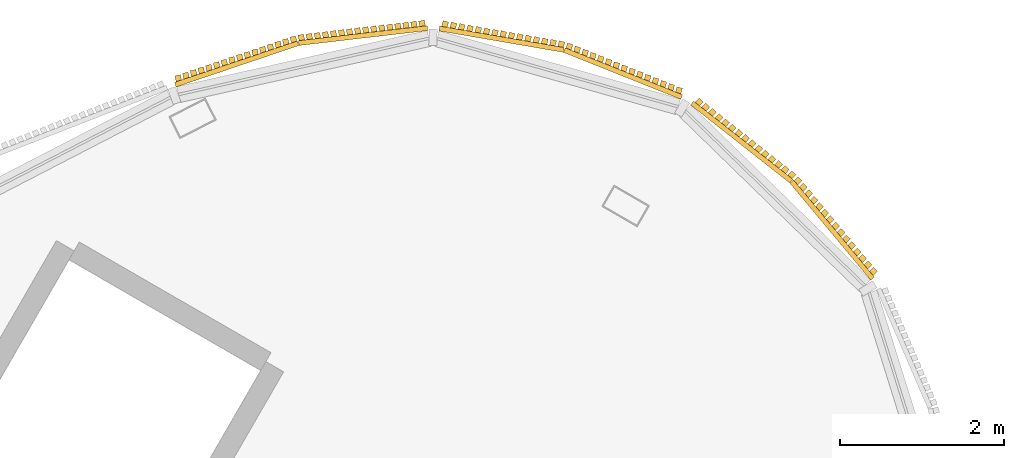
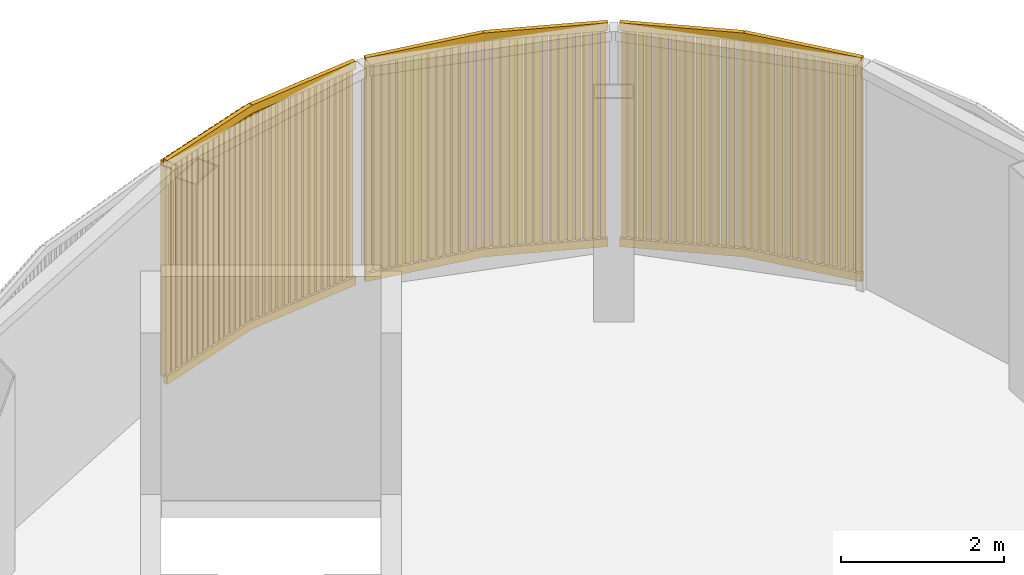
# One storey, part 16 of 16: 3 coverings.
"""IFC4 building model written with IfcOpenShell, lengths in metres."""

from ifc_helpers import new_model, si_unit, direction, frame, frame_2d, origin, place, context, subcontext, project, spatial, rectangle, extrude, source, transform, mapped, material, type_object, element, save


model = new_model("IFC4")

# Units and contexts
model_context = context("Model", 3, precision=1e-05, world=origin(), true_north=direction((0.0, 1.0)))
body_context = subcontext(model_context, "Body", "Model", "MODEL_VIEW")
ifc_project = project(units=[si_unit("LENGTHUNIT", "METRE"), si_unit("AREAUNIT", "SQUARE_METRE"), si_unit("VOLUMEUNIT", "CUBIC_METRE"), si_unit("PLANEANGLEUNIT", "RADIAN"), si_unit("MASSUNIT", "GRAM", prefix="KILO")], contexts=[model_context])

# Site, building, storey
site_placement = place(None, origin())
site = spatial("IfcSite", under=ifc_project, at=site_placement, CompositionType="ELEMENT")
building_placement = place(site_placement, origin())
building = spatial("IfcBuilding", under=site, at=building_placement, Name="Tamra Quay Hotel Tower", CompositionType="ELEMENT")
storey_placement = place(building_placement, frame((0.0, 0.0, 324.199951171875)))
storey = spatial("IfcBuildingStorey", under=building, at=storey_placement, Name="Roof crown 2", CompositionType="ELEMENT", Elevation=324.199951171875)

# Coverings
ifc_material = material(Name="Terracotta baguette extruded", Category="masonry")
covering_type = type_object("IfcCoveringType", Name="BAGUETTE SCREEN CROWN H3350", PredefinedType="USERDEFINED", material=ifc_material)
shared_shape_1 = source(origin(), body_context, "Body", "SweptSolid", [
    extrude(rectangle(XDim=1.5810546875, YDim=0.06005859375, at=frame_2d((0.79052734375, 0.030029296875))), frame((-1.578857421875, -0.0576171875, -0.1201171875), z_axis=(0.0, 0.0, 1.0), x_axis=(0.994521895368, -0.104528463268, 0.0)), (0.0, 0.0, 1.0), 0.1201171875),
    extrude(rectangle(XDim=1.5810546875, YDim=0.06005859375, at=frame_2d((0.79052734375, 0.030029296875))), frame((-1.578857421875, -0.0576171875, -3.35009765625), z_axis=(0.0, 0.0, 1.0), x_axis=(0.994521895368, -0.104528463268, 0.0)), (0.0, 0.0, 1.0), 0.1201171875),
    extrude(rectangle(XDim=0.070068359375, YDim=0.10009765625, at=frame_2d((0.03515625, 0.050048828125))), frame((-1.558349609375, -0.133056640625, -3.2900390625)), (0.0, 0.0, 1.0), 3.22998046875),
    extrude(rectangle(XDim=0.070068359375, YDim=0.10009765625, at=frame_2d((0.03515625, 0.050048828125))), frame((-1.4599609375, -0.1435546875, -3.2900390625)), (0.0, 0.0, 1.0), 3.22998046875),
    extrude(rectangle(XDim=0.070068359375, YDim=0.10009765625, at=frame_2d((0.03515625, 0.050048828125))), frame((-1.36181640625, -0.15380859375, -3.2900390625)), (0.0, 0.0, 1.0), 3.22998046875),
    extrude(rectangle(XDim=0.070068359375, YDim=0.10009765625, at=frame_2d((0.03515625, 0.050048828125))), frame((-1.263427734375, -0.1640625, -3.2900390625)), (0.0, 0.0, 1.0), 3.22998046875),
    extrude(rectangle(XDim=0.070068359375, YDim=0.10009765625, at=frame_2d((0.03515625, 0.050048828125))), frame((-1.165283203125, -0.174560546875, -3.2900390625)), (0.0, 0.0, 1.0), 3.22998046875),
    extrude(rectangle(XDim=0.070068359375, YDim=0.10009765625, at=frame_2d((0.03515625, 0.050048828125))), frame((-1.06689453125, -0.184814453125, -3.2900390625)), (0.0, 0.0, 1.0), 3.22998046875),
    extrude(rectangle(XDim=0.070068359375, YDim=0.10009765625, at=frame_2d((0.03515625, 0.050048828125))), frame((-0.96875, -0.195068359375, -3.2900390625)), (0.0, 0.0, 1.0), 3.22998046875),
    extrude(rectangle(XDim=0.070068359375, YDim=0.10009765625, at=frame_2d((0.03515625, 0.050048828125))), frame((-0.870361328125, -0.20556640625, -3.2900390625)), (0.0, 0.0, 1.0), 3.22998046875),
    extrude(rectangle(XDim=0.070068359375, YDim=0.10009765625, at=frame_2d((0.03515625, 0.050048828125))), frame((-0.772216796875, -0.2158203125, -3.2900390625)), (0.0, 0.0, 1.0), 3.22998046875),
    extrude(rectangle(XDim=0.070068359375, YDim=0.10009765625, at=frame_2d((0.03515625, 0.050048828125))), frame((-0.673828125, -0.22607421875, -3.2900390625)), (0.0, 0.0, 1.0), 3.22998046875),
    extrude(rectangle(XDim=0.070068359375, YDim=0.10009765625, at=frame_2d((0.03515625, 0.050048828125))), frame((-0.575439453125, -0.236572265625, -3.2900390625)), (0.0, 0.0, 1.0), 3.22998046875),
    extrude(rectangle(XDim=0.070068359375, YDim=0.10009765625, at=frame_2d((0.03515625, 0.050048828125))), frame((-0.477294921875, -0.246826171875, -3.2900390625)), (0.0, 0.0, 1.0), 3.22998046875),
    extrude(rectangle(XDim=0.070068359375, YDim=0.10009765625, at=frame_2d((0.03515625, 0.050048828125))), frame((-0.37890625, -0.257080078125, -3.2900390625)), (0.0, 0.0, 1.0), 3.22998046875),
    extrude(rectangle(XDim=0.070068359375, YDim=0.10009765625, at=frame_2d((0.03515625, 0.050048828125))), frame((-0.28076171875, -0.267333984375, -3.2900390625)), (0.0, 0.0, 1.0), 3.22998046875),
    extrude(rectangle(XDim=0.070068359375, YDim=0.10009765625, at=frame_2d((0.03515625, 0.050048828125))), frame((-0.182373046875, -0.27783203125, -3.2900390625)), (0.0, 0.0, 1.0), 3.22998046875),
    extrude(rectangle(XDim=0.070068359375, YDim=0.10009765625, at=frame_2d((0.03515625, 0.050048828125))), frame((-0.084228515625, -0.2880859375, -3.2900390625)), (0.0, 0.0, 1.0), 3.22998046875),
    extrude(rectangle(XDim=1.5810546875, YDim=0.06005859375, at=frame_2d((0.79052734375, 0.030029296875))), frame((0.00634765625, -0.222900390625, -0.1201171875), z_axis=(0.0, 0.0, 1.0), x_axis=(0.994521895368, 0.104528463268, 0.0)), (0.0, 0.0, 1.0), 0.1201171875),
    extrude(rectangle(XDim=1.5810546875, YDim=0.06005859375, at=frame_2d((0.79052734375, 0.030029296875))), frame((0.00634765625, -0.222900390625, -3.35009765625), z_axis=(0.0, 0.0, 1.0), x_axis=(0.994521895368, 0.104528463268, 0.0)), (0.0, 0.0, 1.0), 0.1201171875),
    extrude(rectangle(XDim=0.070068359375, YDim=0.10009765625, at=frame_2d((0.03515625, 0.050048828125))), frame((0.01416015625, -0.2880859375, -3.2900390625)), (0.0, 0.0, 1.0), 3.22998046875),
    extrude(rectangle(XDim=0.070068359375, YDim=0.10009765625, at=frame_2d((0.03515625, 0.050048828125))), frame((0.1123046875, -0.27783203125, -3.2900390625)), (0.0, 0.0, 1.0), 3.22998046875),
    extrude(rectangle(XDim=0.070068359375, YDim=0.10009765625, at=frame_2d((0.03515625, 0.050048828125))), frame((0.210693359375, -0.267333984375, -3.2900390625)), (0.0, 0.0, 1.0), 3.22998046875),
    extrude(rectangle(XDim=0.070068359375, YDim=0.10009765625, at=frame_2d((0.03515625, 0.050048828125))), frame((0.30908203125, -0.257080078125, -3.2900390625)), (0.0, 0.0, 1.0), 3.22998046875),
    extrude(rectangle(XDim=0.070068359375, YDim=0.10009765625, at=frame_2d((0.03515625, 0.050048828125))), frame((0.4072265625, -0.246826171875, -3.2900390625)), (0.0, 0.0, 1.0), 3.22998046875),
    extrude(rectangle(XDim=0.070068359375, YDim=0.10009765625, at=frame_2d((0.03515625, 0.050048828125))), frame((0.505615234375, -0.236572265625, -3.2900390625)), (0.0, 0.0, 1.0), 3.22998046875),
    extrude(rectangle(XDim=0.070068359375, YDim=0.10009765625, at=frame_2d((0.03515625, 0.050048828125))), frame((0.603759765625, -0.22607421875, -3.2900390625)), (0.0, 0.0, 1.0), 3.22998046875),
    extrude(rectangle(XDim=0.070068359375, YDim=0.10009765625, at=frame_2d((0.03515625, 0.050048828125))), frame((0.7021484375, -0.2158203125, -3.2900390625)), (0.0, 0.0, 1.0), 3.22998046875),
    extrude(rectangle(XDim=0.070068359375, YDim=0.10009765625, at=frame_2d((0.03515625, 0.050048828125))), frame((0.80029296875, -0.20556640625, -3.2900390625)), (0.0, 0.0, 1.0), 3.22998046875),
    extrude(rectangle(XDim=0.070068359375, YDim=0.10009765625, at=frame_2d((0.03515625, 0.050048828125))), frame((0.898681640625, -0.195068359375, -3.2900390625)), (0.0, 0.0, 1.0), 3.22998046875),
    extrude(rectangle(XDim=0.070068359375, YDim=0.10009765625, at=frame_2d((0.03515625, 0.050048828125))), frame((0.9970703125, -0.184814453125, -3.2900390625)), (0.0, 0.0, 1.0), 3.22998046875),
    extrude(rectangle(XDim=0.070068359375, YDim=0.10009765625, at=frame_2d((0.03515625, 0.050048828125))), frame((1.09521484375, -0.174560546875, -3.2900390625)), (0.0, 0.0, 1.0), 3.22998046875),
    extrude(rectangle(XDim=0.070068359375, YDim=0.10009765625, at=frame_2d((0.03515625, 0.050048828125))), frame((1.193603515625, -0.1640625, -3.2900390625)), (0.0, 0.0, 1.0), 3.22998046875),
    extrude(rectangle(XDim=0.070068359375, YDim=0.10009765625, at=frame_2d((0.03515625, 0.050048828125))), frame((1.291748046875, -0.15380859375, -3.2900390625)), (0.0, 0.0, 1.0), 3.22998046875),
    extrude(rectangle(XDim=0.070068359375, YDim=0.10009765625, at=frame_2d((0.03515625, 0.050048828125))), frame((1.39013671875, -0.1435546875, -3.2900390625)), (0.0, 0.0, 1.0), 3.22998046875),
    extrude(rectangle(XDim=0.070068359375, YDim=0.10009765625, at=frame_2d((0.03515625, 0.050048828125))), frame((1.48828125, -0.133056640625, -3.2900390625)), (0.0, 0.0, 1.0), 3.22998046875),
])
covering_placement = place(storey_placement, frame((7.689697265625, 21.952392578125, 3.35009765625), z_axis=(0.0, 0.0, 1.0), x_axis=(-0.975768325721, -0.218806248814, 0.0)))
element("IfcCovering", 1, at=covering_placement, inside=storey, type_object=covering_type, Name="Baguette screen Roof crown 2.A.f04", ObjectType="BAGUETTE SCREEN", PredefinedType="USERDEFINED", context=body_context, shape_type="MappedRepresentation", body=[
    mapped(shared_shape_1, transform((0.0, 0.0, 0.0), scale=1.0)),
])
shared_shape_2 = source(origin(), body_context, "Body", "SweptSolid", [
    extrude(rectangle(XDim=1.541015625, YDim=0.06005859375, at=frame_2d((0.7705078125, 0.030029296875))), frame((-1.538818359375, -0.0576171875, -0.1201171875), z_axis=(0.0, 0.0, 1.0), x_axis=(0.994521895368, -0.104528463268, 0.0)), (0.0, 0.0, 1.0), 0.1201171875),
    extrude(rectangle(XDim=1.541015625, YDim=0.06005859375, at=frame_2d((0.7705078125, 0.030029296875))), frame((-1.538818359375, -0.0576171875, -3.35009765625), z_axis=(0.0, 0.0, 1.0), x_axis=(0.994521895368, -0.104528463268, 0.0)), (0.0, 0.0, 1.0), 0.1201171875),
    extrude(rectangle(XDim=0.070068359375, YDim=0.10009765625, at=frame_2d((0.03515625, 0.050048828125))), frame((-1.516357421875, -0.13330078125, -3.2900390625)), (0.0, 0.0, 1.0), 3.22998046875),
    extrude(rectangle(XDim=0.070068359375, YDim=0.10009765625, at=frame_2d((0.03515625, 0.050048828125))), frame((-1.414306640625, -0.14404296875, -3.2900390625)), (0.0, 0.0, 1.0), 3.22998046875),
    extrude(rectangle(XDim=0.070068359375, YDim=0.10009765625, at=frame_2d((0.03515625, 0.050048828125))), frame((-1.31201171875, -0.15478515625, -3.2900390625)), (0.0, 0.0, 1.0), 3.22998046875),
    extrude(rectangle(XDim=0.070068359375, YDim=0.10009765625, at=frame_2d((0.03515625, 0.050048828125))), frame((-1.2099609375, -0.16552734375, -3.2900390625)), (0.0, 0.0, 1.0), 3.22998046875),
    extrude(rectangle(XDim=0.070068359375, YDim=0.10009765625, at=frame_2d((0.03515625, 0.050048828125))), frame((-1.107666015625, -0.17626953125, -3.2900390625)), (0.0, 0.0, 1.0), 3.22998046875),
    extrude(rectangle(XDim=0.070068359375, YDim=0.10009765625, at=frame_2d((0.03515625, 0.050048828125))), frame((-1.005615234375, -0.18701171875, -3.2900390625)), (0.0, 0.0, 1.0), 3.22998046875),
    extrude(rectangle(XDim=0.070068359375, YDim=0.10009765625, at=frame_2d((0.03515625, 0.050048828125))), frame((-0.9033203125, -0.19775390625, -3.2900390625)), (0.0, 0.0, 1.0), 3.22998046875),
    extrude(rectangle(XDim=0.070068359375, YDim=0.10009765625, at=frame_2d((0.03515625, 0.050048828125))), frame((-0.80126953125, -0.20849609375, -3.2900390625)), (0.0, 0.0, 1.0), 3.22998046875),
    extrude(rectangle(XDim=0.070068359375, YDim=0.10009765625, at=frame_2d((0.03515625, 0.050048828125))), frame((-0.698974609375, -0.21923828125, -3.2900390625)), (0.0, 0.0, 1.0), 3.22998046875),
    extrude(rectangle(XDim=0.070068359375, YDim=0.10009765625, at=frame_2d((0.03515625, 0.050048828125))), frame((-0.596923828125, -0.22998046875, -3.2900390625)), (0.0, 0.0, 1.0), 3.22998046875),
    extrude(rectangle(XDim=0.070068359375, YDim=0.10009765625, at=frame_2d((0.03515625, 0.050048828125))), frame((-0.49462890625, -0.24072265625, -3.2900390625)), (0.0, 0.0, 1.0), 3.22998046875),
    extrude(rectangle(XDim=0.070068359375, YDim=0.10009765625, at=frame_2d((0.03515625, 0.050048828125))), frame((-0.392578125, -0.25146484375, -3.2900390625)), (0.0, 0.0, 1.0), 3.22998046875),
    extrude(rectangle(XDim=0.070068359375, YDim=0.10009765625, at=frame_2d((0.03515625, 0.050048828125))), frame((-0.29052734375, -0.26220703125, -3.2900390625)), (0.0, 0.0, 1.0), 3.22998046875),
    extrude(rectangle(XDim=0.070068359375, YDim=0.10009765625, at=frame_2d((0.03515625, 0.050048828125))), frame((-0.188232421875, -0.27294921875, -3.2900390625)), (0.0, 0.0, 1.0), 3.22998046875),
    extrude(rectangle(XDim=0.070068359375, YDim=0.10009765625, at=frame_2d((0.03515625, 0.050048828125))), frame((-0.086181640625, -0.28369140625, -3.2900390625)), (0.0, 0.0, 1.0), 3.22998046875),
    extrude(rectangle(XDim=1.541015625, YDim=0.06005859375, at=frame_2d((0.7705078125, 0.030029296875))), frame((0.00634765625, -0.21875, -0.1201171875), z_axis=(0.0, 0.0, 1.0), x_axis=(0.994521895368, 0.104528463268, 0.0)), (0.0, 0.0, 1.0), 0.1201171875),
    extrude(rectangle(XDim=1.541015625, YDim=0.06005859375, at=frame_2d((0.7705078125, 0.030029296875))), frame((0.00634765625, -0.21875, -3.35009765625), z_axis=(0.0, 0.0, 1.0), x_axis=(0.994521895368, 0.104528463268, 0.0)), (0.0, 0.0, 1.0), 0.1201171875),
    extrude(rectangle(XDim=0.070068359375, YDim=0.10009765625, at=frame_2d((0.03515625, 0.050048828125))), frame((0.01611328125, -0.28369140625, -3.2900390625)), (0.0, 0.0, 1.0), 3.22998046875),
    extrude(rectangle(XDim=0.070068359375, YDim=0.10009765625, at=frame_2d((0.03515625, 0.050048828125))), frame((0.1181640625, -0.27294921875, -3.2900390625)), (0.0, 0.0, 1.0), 3.22998046875),
    extrude(rectangle(XDim=0.070068359375, YDim=0.10009765625, at=frame_2d((0.03515625, 0.050048828125))), frame((0.220458984375, -0.26220703125, -3.2900390625)), (0.0, 0.0, 1.0), 3.22998046875),
    extrude(rectangle(XDim=0.070068359375, YDim=0.10009765625, at=frame_2d((0.03515625, 0.050048828125))), frame((0.322509765625, -0.25146484375, -3.2900390625)), (0.0, 0.0, 1.0), 3.22998046875),
    extrude(rectangle(XDim=0.070068359375, YDim=0.10009765625, at=frame_2d((0.03515625, 0.050048828125))), frame((0.4248046875, -0.24072265625, -3.2900390625)), (0.0, 0.0, 1.0), 3.22998046875),
    extrude(rectangle(XDim=0.070068359375, YDim=0.10009765625, at=frame_2d((0.03515625, 0.050048828125))), frame((0.52685546875, -0.22998046875, -3.2900390625)), (0.0, 0.0, 1.0), 3.22998046875),
    extrude(rectangle(XDim=0.070068359375, YDim=0.10009765625, at=frame_2d((0.03515625, 0.050048828125))), frame((0.629150390625, -0.21923828125, -3.2900390625)), (0.0, 0.0, 1.0), 3.22998046875),
    extrude(rectangle(XDim=0.070068359375, YDim=0.10009765625, at=frame_2d((0.03515625, 0.050048828125))), frame((0.731201171875, -0.20849609375, -3.2900390625)), (0.0, 0.0, 1.0), 3.22998046875),
    extrude(rectangle(XDim=0.070068359375, YDim=0.10009765625, at=frame_2d((0.03515625, 0.050048828125))), frame((0.83349609375, -0.19775390625, -3.2900390625)), (0.0, 0.0, 1.0), 3.22998046875),
    extrude(rectangle(XDim=0.070068359375, YDim=0.10009765625, at=frame_2d((0.03515625, 0.050048828125))), frame((0.935546875, -0.18701171875, -3.2900390625)), (0.0, 0.0, 1.0), 3.22998046875),
    extrude(rectangle(XDim=0.070068359375, YDim=0.10009765625, at=frame_2d((0.03515625, 0.050048828125))), frame((1.037841796875, -0.17626953125, -3.2900390625)), (0.0, 0.0, 1.0), 3.22998046875),
    extrude(rectangle(XDim=0.070068359375, YDim=0.10009765625, at=frame_2d((0.03515625, 0.050048828125))), frame((1.139892578125, -0.16552734375, -3.2900390625)), (0.0, 0.0, 1.0), 3.22998046875),
    extrude(rectangle(XDim=0.070068359375, YDim=0.10009765625, at=frame_2d((0.03515625, 0.050048828125))), frame((1.2421875, -0.15478515625, -3.2900390625)), (0.0, 0.0, 1.0), 3.22998046875),
    extrude(rectangle(XDim=0.070068359375, YDim=0.10009765625, at=frame_2d((0.03515625, 0.050048828125))), frame((1.34423828125, -0.14404296875, -3.2900390625)), (0.0, 0.0, 1.0), 3.22998046875),
    extrude(rectangle(XDim=0.070068359375, YDim=0.10009765625, at=frame_2d((0.03515625, 0.050048828125))), frame((1.446533203125, -0.13330078125, -3.2900390625)), (0.0, 0.0, 1.0), 3.22998046875),
])
for number, where, z_axis, x_axis, name in (
    (2, (13.52734375, 20.320556640625, 3.35009765625), (0.0, 0.0, 1.0), (-0.716752699854, 0.69732744622, 0.0), "Baguette screen Roof crown 2.A.f02"),
    (3, (10.83447265625, 21.875244140625, 3.35009765625), (0.0, 0.0, 1.0), (-0.96227963311, 0.272062323195, 0.0), "Baguette screen Roof crown 2.A.f03"),
):
    element("IfcCovering", number, at=place(storey_placement, frame(where, z_axis=z_axis, x_axis=x_axis)), inside=storey, type_object=covering_type, Name=name, ObjectType="BAGUETTE SCREEN", PredefinedType="USERDEFINED", context=body_context, shape_type="MappedRepresentation", body=[
        mapped(shared_shape_2, transform((0.0, 0.0, 0.0), scale=1.0)),
    ])

save(model, "model.ifc")
